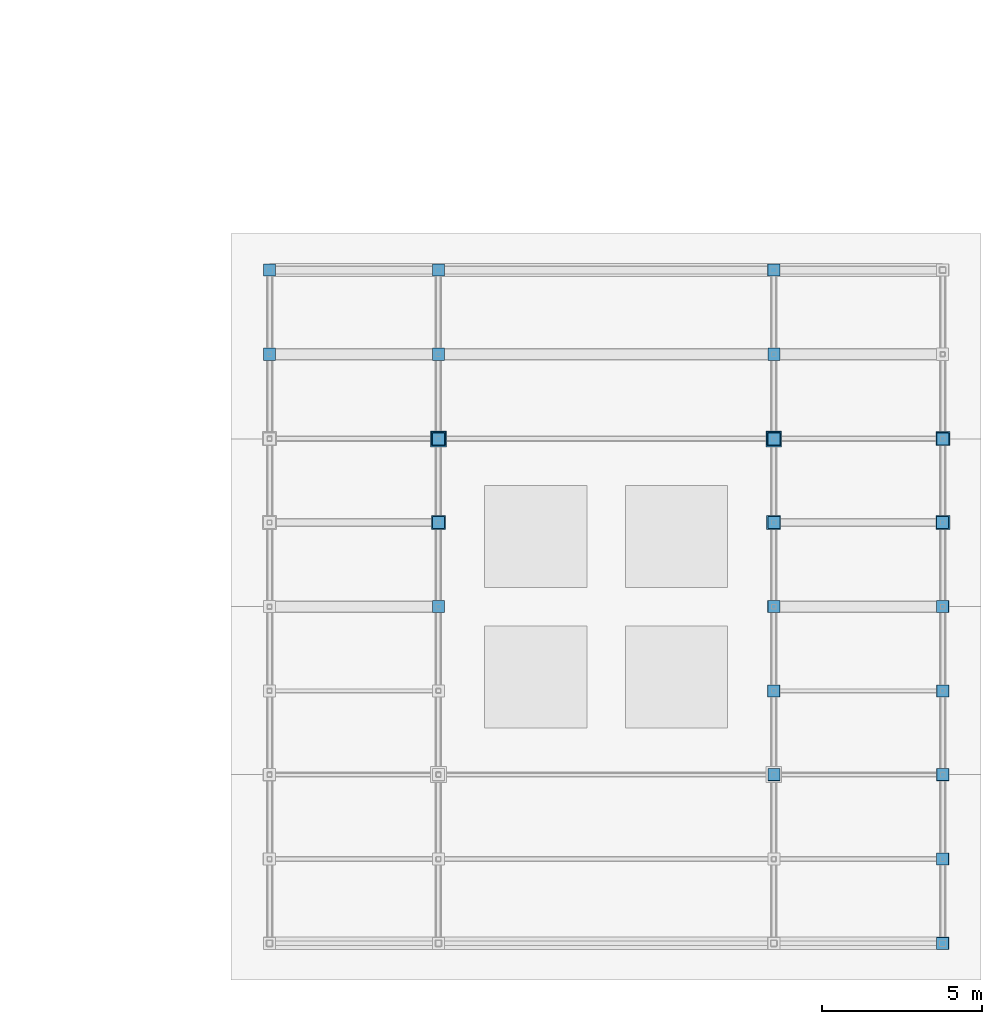
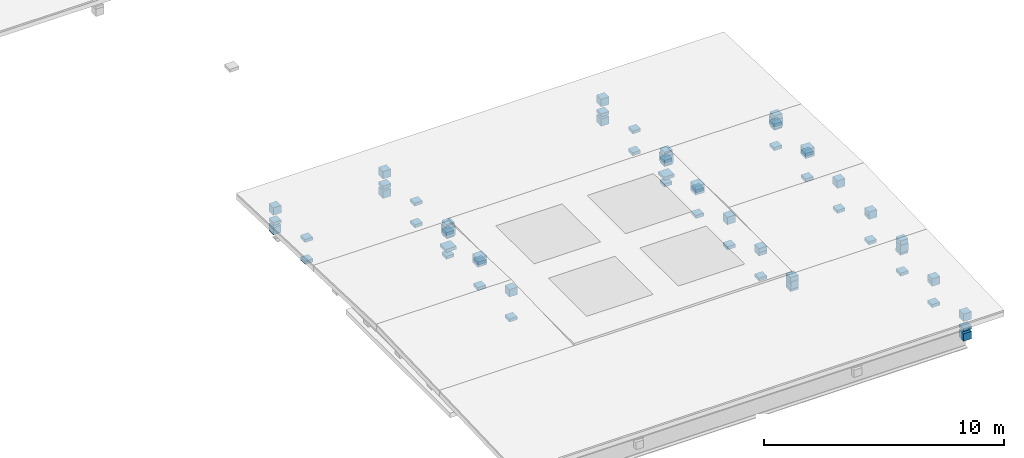
# One storey, part 22 of 25: 70 discrete accessories.
"""IFC4 building model written with IfcOpenShell, lengths in metres."""

from ifc_helpers import new_model, si_unit, direction, frame, origin, place, context, subcontext, project, spatial, polyline, outline, extrude, material, type_object, element, save


model = new_model("IFC4")

# Units and contexts
model_context = context("Model", 3, precision=1e-05, world=origin(), true_north=direction((0.0, 1.0)))
body_context = subcontext(model_context, "Body", "Model", "MODEL_VIEW")
ifc_project = project(units=[si_unit("LENGTHUNIT", "METRE"), si_unit("AREAUNIT", "SQUARE_METRE"), si_unit("VOLUMEUNIT", "CUBIC_METRE"), si_unit("PLANEANGLEUNIT", "RADIAN"), si_unit("MASSUNIT", "GRAM", prefix="KILO"), si_unit("THERMODYNAMICTEMPERATUREUNIT", "KELVIN"), si_unit("POWERUNIT", "WATT")], contexts=[model_context])

# Site, building, storey
site_placement = place(None, origin())
site = spatial("IfcSite", under=ifc_project, at=site_placement, CompositionType="ELEMENT")
building_placement = place(site_placement, origin())
building = spatial("IfcBuilding", under=site, at=building_placement, Name="Zelmaris Science Centre", CompositionType="ELEMENT")
storey_placement = place(building_placement, frame((0.0, 0.0, 30.0)))
storey = spatial("IfcBuildingStorey", under=building, at=storey_placement, Name="RF", CompositionType="ELEMENT", Elevation=30.0)

# Discrete accessories
ifc_material = material(Name="Steel ASTM A500 Grade C", Category="steel")
discrete_accessory_type = type_object("IfcDiscreteAccessoryType", Name="Hollow Section End Cap Plate BK-ECP", PredefinedType="BRACKET", material=ifc_material)
discrete_accessory_1_placement = place(storey_placement, frame((0.0, 0.0, 0.677001953125)))
element("IfcDiscreteAccessory", 1, at=discrete_accessory_1_placement, inside=storey, type_object=discrete_accessory_type, Name="End cap plate 24", PredefinedType="BRACKET", context=body_context, shape_type="SweptSolid", body=[
    extrude(outline(polyline([(86.002197265625, 41.002197265625), (86.497802734375, 41.002197265625), (86.497802734375, 41.497802734375), (86.002197265625, 41.497802734375), (86.002197265625, 41.002197265625)])), origin(), (0.0, 0.0, 1.0), 0.157958984375),
])
discrete_accessory_2_placement = place(storey_placement, frame((0.0, 0.0, 0.677001953125)))
element("IfcDiscreteAccessory", 2, at=discrete_accessory_2_placement, inside=storey, type_object=discrete_accessory_type, Name="End cap plate 32", PredefinedType="BRACKET", context=body_context, shape_type="SweptSolid", body=[
    extrude(outline(polyline([(75.502197265625, 41.002197265625), (75.997802734375, 41.002197265625), (75.997802734375, 41.497802734375), (75.502197265625, 41.497802734375), (75.502197265625, 41.002197265625)])), origin(), (0.0, 0.0, 1.0), 0.157958984375),
])
discrete_accessory_3_placement = place(storey_placement, frame((0.0, 0.0, 0.1591796875)))
element("IfcDiscreteAccessory", 3, at=discrete_accessory_3_placement, inside=storey, type_object=discrete_accessory_type, Name="End cap plate 432", PredefinedType="BRACKET", context=body_context, shape_type="SweptSolid", body=[
    extrude(outline(polyline([(70.275146484375, 46.352783203125), (70.653076171875, 46.352783203125), (70.653076171875, 46.73095703125), (70.275146484375, 46.73095703125), (70.275146484375, 46.352783203125)])), origin(), (0.0, 0.0, 1.0), 0.3779296875),
])
discrete_accessory_4_placement = place(storey_placement, frame((0.0, 0.0, 1.1572265625)))
element("IfcDiscreteAccessory", 4, at=discrete_accessory_4_placement, inside=storey, type_object=discrete_accessory_type, Name="End cap plate 435", PredefinedType="BRACKET", context=body_context, shape_type="SweptSolid", body=[
    extrude(outline(polyline([(70.273193359375, 46.35107421875), (70.65478515625, 46.35107421875), (70.65478515625, 46.732666015625), (70.273193359375, 46.732666015625), (70.273193359375, 46.35107421875)])), origin(), (0.0, 0.0, 1.0), 0.381591796875),
])
discrete_accessory_5_placement = place(storey_placement, frame((0.0, 0.0, 0.26318359375)))
element("IfcDiscreteAccessory", 5, at=discrete_accessory_5_placement, inside=storey, type_object=discrete_accessory_type, Name="End cap plate 447", PredefinedType="BRACKET", context=body_context, shape_type="SweptSolid", body=[
    extrude(outline(polyline([(70.275146484375, 43.712890625), (70.653076171875, 43.712890625), (70.653076171875, 44.0908203125), (70.275146484375, 44.0908203125), (70.275146484375, 43.712890625)])), origin(), (0.0, 0.0, 1.0), 0.157958984375),
])
discrete_accessory_6_placement = place(storey_placement, frame((0.0, 0.0, 1.3701171875)))
element("IfcDiscreteAccessory", 6, at=discrete_accessory_6_placement, inside=storey, type_object=discrete_accessory_type, Name="End cap plate 448", PredefinedType="BRACKET", context=body_context, shape_type="SweptSolid", body=[
    extrude(outline(polyline([(70.275146484375, 43.712890625), (70.653076171875, 43.712890625), (70.653076171875, 44.0908203125), (70.275146484375, 44.0908203125), (70.275146484375, 43.712890625)])), origin(), (0.0, 0.0, 1.0), 0.158203125),
])
discrete_accessory_7_placement = place(storey_placement, frame((0.0, 0.0, 0.64501953125)))
element("IfcDiscreteAccessory", 7, at=discrete_accessory_7_placement, inside=storey, type_object=discrete_accessory_type, Name="End cap plate 450", PredefinedType="BRACKET", context=body_context, shape_type="SweptSolid", body=[
    extrude(outline(polyline([(70.273193359375, 46.34521484375), (70.65478515625, 46.34521484375), (70.65478515625, 46.726806640625), (70.273193359375, 46.726806640625), (70.273193359375, 46.34521484375)])), origin(), (0.0, 0.0, 1.0), 0.157958984375),
])
discrete_accessory_8_placement = place(storey_placement, frame((0.0, 0.0, 0.1591796875)))
element("IfcDiscreteAccessory", 8, at=discrete_accessory_8_placement, inside=storey, type_object=discrete_accessory_type, Name="End cap plate 452", PredefinedType="BRACKET", context=body_context, shape_type="SweptSolid", body=[
    extrude(outline(polyline([(75.56103515625, 46.352783203125), (75.93896484375, 46.352783203125), (75.93896484375, 46.73095703125), (75.56103515625, 46.73095703125), (75.56103515625, 46.352783203125)])), origin(), (0.0, 0.0, 1.0), 0.3779296875),
])
discrete_accessory_9_placement = place(storey_placement, frame((0.0, 0.0, 1.53759765625)))
element("IfcDiscreteAccessory", 9, at=discrete_accessory_9_placement, inside=storey, type_object=discrete_accessory_type, Name="End cap plate 454", PredefinedType="BRACKET", context=body_context, shape_type="SweptSolid", body=[
    extrude(outline(polyline([(75.55908203125, 35.815185546875), (75.94091796875, 35.815185546875), (75.94091796875, 36.19677734375), (75.55908203125, 36.19677734375), (75.55908203125, 35.815185546875)])), origin(), (0.0, 0.0, 1.0), 0.381591796875),
])
discrete_accessory_10_placement = place(storey_placement, frame((0.0, 0.0, 1.1572265625)))
element("IfcDiscreteAccessory", 10, at=discrete_accessory_10_placement, inside=storey, type_object=discrete_accessory_type, Name="End cap plate 455", PredefinedType="BRACKET", context=body_context, shape_type="SweptSolid", body=[
    extrude(outline(polyline([(75.55908203125, 46.35107421875), (75.94091796875, 46.35107421875), (75.94091796875, 46.732666015625), (75.55908203125, 46.732666015625), (75.55908203125, 46.35107421875)])), origin(), (0.0, 0.0, 1.0), 0.381591796875),
])
discrete_accessory_11_placement = place(storey_placement, frame((0.0, 0.0, 0.26318359375)))
element("IfcDiscreteAccessory", 11, at=discrete_accessory_11_placement, inside=storey, type_object=discrete_accessory_type, Name="End cap plate 462", PredefinedType="BRACKET", context=body_context, shape_type="SweptSolid", body=[
    extrude(outline(polyline([(75.56103515625, 35.81103515625), (75.93896484375, 35.81103515625), (75.93896484375, 36.18896484375), (75.56103515625, 36.18896484375), (75.56103515625, 35.81103515625)])), origin(), (0.0, 0.0, 1.0), 0.157958984375),
])
for number, where, name in (
    (12, (0.0, 0.0, 0.26318359375), "End cap plate 463"),
    (13, (0.0, 0.0, 1.560302734375), "End cap plate 464"),
):
    element("IfcDiscreteAccessory", number, at=place(storey_placement, frame(where)), inside=storey, type_object=discrete_accessory_type, Name=name, PredefinedType="BRACKET", context=body_context, shape_type="SweptSolid", body=[
        extrude(outline(polyline([(75.56103515625, 38.445068359375), (75.93896484375, 38.445068359375), (75.93896484375, 38.822998046875), (75.56103515625, 38.822998046875), (75.56103515625, 38.445068359375)])), origin(), (0.0, 0.0, 1.0), 0.157958984375),
    ])
discrete_accessory_12_placement = place(storey_placement, frame((0.0, 0.0, 0.26318359375)))
element("IfcDiscreteAccessory", 14, at=discrete_accessory_12_placement, inside=storey, type_object=discrete_accessory_type, Name="End cap plate 465", PredefinedType="BRACKET", context=body_context, shape_type="SweptSolid", body=[
    extrude(outline(polyline([(75.56103515625, 41.078857421875), (75.93896484375, 41.078857421875), (75.93896484375, 41.456787109375), (75.56103515625, 41.456787109375), (75.56103515625, 41.078857421875)])), origin(), (0.0, 0.0, 1.0), 0.157958984375),
])
discrete_accessory_13_placement = place(storey_placement, frame((0.0, 0.0, 1.465087890625)))
element("IfcDiscreteAccessory", 15, at=discrete_accessory_13_placement, inside=storey, type_object=discrete_accessory_type, Name="End cap plate 466", PredefinedType="BRACKET", context=body_context, shape_type="SweptSolid", body=[
    extrude(outline(polyline([(75.56103515625, 41.078857421875), (75.93896484375, 41.078857421875), (75.93896484375, 41.456787109375), (75.56103515625, 41.456787109375), (75.56103515625, 41.078857421875)])), origin(), (0.0, 0.0, 1.0), 0.158203125),
])
discrete_accessory_14_placement = place(storey_placement, frame((0.0, 0.0, 0.26318359375)))
element("IfcDiscreteAccessory", 16, at=discrete_accessory_14_placement, inside=storey, type_object=discrete_accessory_type, Name="End cap plate 467", PredefinedType="BRACKET", context=body_context, shape_type="SweptSolid", body=[
    extrude(outline(polyline([(75.56103515625, 43.712890625), (75.93896484375, 43.712890625), (75.93896484375, 44.0908203125), (75.56103515625, 44.0908203125), (75.56103515625, 43.712890625)])), origin(), (0.0, 0.0, 1.0), 0.157958984375),
])
discrete_accessory_15_placement = place(storey_placement, frame((0.0, 0.0, 1.3701171875)))
element("IfcDiscreteAccessory", 17, at=discrete_accessory_15_placement, inside=storey, type_object=discrete_accessory_type, Name="End cap plate 468", PredefinedType="BRACKET", context=body_context, shape_type="SweptSolid", body=[
    extrude(outline(polyline([(75.56103515625, 43.712890625), (75.93896484375, 43.712890625), (75.93896484375, 44.0908203125), (75.56103515625, 44.0908203125), (75.56103515625, 43.712890625)])), origin(), (0.0, 0.0, 1.0), 0.158203125),
])
discrete_accessory_16_placement = place(storey_placement, frame((0.0, 0.0, 0.64501953125)))
element("IfcDiscreteAccessory", 18, at=discrete_accessory_16_placement, inside=storey, type_object=discrete_accessory_type, Name="End cap plate 470", PredefinedType="BRACKET", context=body_context, shape_type="SweptSolid", body=[
    extrude(outline(polyline([(75.55908203125, 46.34521484375), (75.94091796875, 46.34521484375), (75.94091796875, 46.726806640625), (75.55908203125, 46.726806640625), (75.55908203125, 46.34521484375)])), origin(), (0.0, 0.0, 1.0), 0.157958984375),
])
discrete_accessory_17_placement = place(storey_placement, frame((0.0, 0.0, 0.1591796875)))
element("IfcDiscreteAccessory", 19, at=discrete_accessory_17_placement, inside=storey, type_object=discrete_accessory_type, Name="End cap plate 472", PredefinedType="BRACKET", context=body_context, shape_type="SweptSolid", body=[
    extrude(outline(polyline([(86.06103515625, 46.352783203125), (86.43896484375, 46.352783203125), (86.43896484375, 46.73095703125), (86.06103515625, 46.73095703125), (86.06103515625, 46.352783203125)])), origin(), (0.0, 0.0, 1.0), 0.3779296875),
])
discrete_accessory_18_placement = place(storey_placement, frame((0.0, 0.0, 1.53759765625)))
element("IfcDiscreteAccessory", 20, at=discrete_accessory_18_placement, inside=storey, type_object=discrete_accessory_type, Name="End cap plate 474", PredefinedType="BRACKET", context=body_context, shape_type="SweptSolid", body=[
    extrude(outline(polyline([(86.05908203125, 35.815185546875), (86.44091796875, 35.815185546875), (86.44091796875, 36.19677734375), (86.05908203125, 36.19677734375), (86.05908203125, 35.815185546875)])), origin(), (0.0, 0.0, 1.0), 0.381591796875),
])
discrete_accessory_19_placement = place(storey_placement, frame((0.0, 0.0, 1.1572265625)))
element("IfcDiscreteAccessory", 21, at=discrete_accessory_19_placement, inside=storey, type_object=discrete_accessory_type, Name="End cap plate 475", PredefinedType="BRACKET", context=body_context, shape_type="SweptSolid", body=[
    extrude(outline(polyline([(86.05908203125, 46.35107421875), (86.44091796875, 46.35107421875), (86.44091796875, 46.732666015625), (86.05908203125, 46.732666015625), (86.05908203125, 46.35107421875)])), origin(), (0.0, 0.0, 1.0), 0.381591796875),
])
for number, where, name in (
    (22, (0.0, 0.0, 0.26318359375), "End cap plate 480"),
    (23, (0.0, 0.0, 1.560302734375), "End cap plate 481"),
):
    element("IfcDiscreteAccessory", number, at=place(storey_placement, frame(where)), inside=storey, type_object=discrete_accessory_type, Name=name, PredefinedType="BRACKET", context=body_context, shape_type="SweptSolid", body=[
        extrude(outline(polyline([(86.06103515625, 33.177001953125), (86.43896484375, 33.177001953125), (86.43896484375, 33.554931640625), (86.06103515625, 33.554931640625), (86.06103515625, 33.177001953125)])), origin(), (0.0, 0.0, 1.0), 0.157958984375),
    ])
discrete_accessory_20_placement = place(storey_placement, frame((0.0, 0.0, 0.26318359375)))
element("IfcDiscreteAccessory", 24, at=discrete_accessory_20_placement, inside=storey, type_object=discrete_accessory_type, Name="End cap plate 482", PredefinedType="BRACKET", context=body_context, shape_type="SweptSolid", body=[
    extrude(outline(polyline([(86.06103515625, 35.81103515625), (86.43896484375, 35.81103515625), (86.43896484375, 36.18896484375), (86.06103515625, 36.18896484375), (86.06103515625, 35.81103515625)])), origin(), (0.0, 0.0, 1.0), 0.157958984375),
])
for number, where, name in (
    (25, (0.0, 0.0, 0.26318359375), "End cap plate 483"),
    (26, (0.0, 0.0, 1.560302734375), "End cap plate 484"),
):
    element("IfcDiscreteAccessory", number, at=place(storey_placement, frame(where)), inside=storey, type_object=discrete_accessory_type, Name=name, PredefinedType="BRACKET", context=body_context, shape_type="SweptSolid", body=[
        extrude(outline(polyline([(86.06103515625, 38.445068359375), (86.43896484375, 38.445068359375), (86.43896484375, 38.822998046875), (86.06103515625, 38.822998046875), (86.06103515625, 38.445068359375)])), origin(), (0.0, 0.0, 1.0), 0.157958984375),
    ])
discrete_accessory_21_placement = place(storey_placement, frame((0.0, 0.0, 0.26318359375)))
element("IfcDiscreteAccessory", 27, at=discrete_accessory_21_placement, inside=storey, type_object=discrete_accessory_type, Name="End cap plate 485", PredefinedType="BRACKET", context=body_context, shape_type="SweptSolid", body=[
    extrude(outline(polyline([(86.06103515625, 41.078857421875), (86.43896484375, 41.078857421875), (86.43896484375, 41.456787109375), (86.06103515625, 41.456787109375), (86.06103515625, 41.078857421875)])), origin(), (0.0, 0.0, 1.0), 0.157958984375),
])
discrete_accessory_22_placement = place(storey_placement, frame((0.0, 0.0, 1.465087890625)))
element("IfcDiscreteAccessory", 28, at=discrete_accessory_22_placement, inside=storey, type_object=discrete_accessory_type, Name="End cap plate 486", PredefinedType="BRACKET", context=body_context, shape_type="SweptSolid", body=[
    extrude(outline(polyline([(86.06103515625, 41.078857421875), (86.43896484375, 41.078857421875), (86.43896484375, 41.456787109375), (86.06103515625, 41.456787109375), (86.06103515625, 41.078857421875)])), origin(), (0.0, 0.0, 1.0), 0.158203125),
])
discrete_accessory_23_placement = place(storey_placement, frame((0.0, 0.0, 0.26318359375)))
element("IfcDiscreteAccessory", 29, at=discrete_accessory_23_placement, inside=storey, type_object=discrete_accessory_type, Name="End cap plate 487", PredefinedType="BRACKET", context=body_context, shape_type="SweptSolid", body=[
    extrude(outline(polyline([(86.06103515625, 43.712890625), (86.43896484375, 43.712890625), (86.43896484375, 44.0908203125), (86.06103515625, 44.0908203125), (86.06103515625, 43.712890625)])), origin(), (0.0, 0.0, 1.0), 0.157958984375),
])
discrete_accessory_24_placement = place(storey_placement, frame((0.0, 0.0, 1.3701171875)))
element("IfcDiscreteAccessory", 30, at=discrete_accessory_24_placement, inside=storey, type_object=discrete_accessory_type, Name="End cap plate 488", PredefinedType="BRACKET", context=body_context, shape_type="SweptSolid", body=[
    extrude(outline(polyline([(86.06103515625, 43.712890625), (86.43896484375, 43.712890625), (86.43896484375, 44.0908203125), (86.06103515625, 44.0908203125), (86.06103515625, 43.712890625)])), origin(), (0.0, 0.0, 1.0), 0.158203125),
])
discrete_accessory_25_placement = place(storey_placement, frame((0.0, 0.0, 0.64501953125)))
element("IfcDiscreteAccessory", 31, at=discrete_accessory_25_placement, inside=storey, type_object=discrete_accessory_type, Name="End cap plate 490", PredefinedType="BRACKET", context=body_context, shape_type="SweptSolid", body=[
    extrude(outline(polyline([(86.05908203125, 46.34521484375), (86.44091796875, 46.34521484375), (86.44091796875, 46.726806640625), (86.05908203125, 46.726806640625), (86.05908203125, 46.34521484375)])), origin(), (0.0, 0.0, 1.0), 0.157958984375),
])
discrete_accessory_26_placement = place(storey_placement, frame((0.0, 0.0, 0.1591796875)))
element("IfcDiscreteAccessory", 32, at=discrete_accessory_26_placement, inside=storey, type_object=discrete_accessory_type, Name="End cap plate 491", PredefinedType="BRACKET", context=body_context, shape_type="SweptSolid", body=[
    extrude(outline(polyline([(91.346923828125, 25.26904296875), (91.724853515625, 25.26904296875), (91.724853515625, 25.647216796875), (91.346923828125, 25.647216796875), (91.346923828125, 25.26904296875)])), origin(), (0.0, 0.0, 1.0), 0.3779296875),
])
discrete_accessory_27_placement = place(storey_placement, frame((0.0, 0.0, 1.1572265625)))
element("IfcDiscreteAccessory", 33, at=discrete_accessory_27_placement, inside=storey, type_object=discrete_accessory_type, Name="End cap plate 493", PredefinedType="BRACKET", context=body_context, shape_type="SweptSolid", body=[
    extrude(outline(polyline([(91.34521484375, 25.267333984375), (91.726806640625, 25.267333984375), (91.726806640625, 25.64892578125), (91.34521484375, 25.64892578125), (91.34521484375, 25.267333984375)])), origin(), (0.0, 0.0, 1.0), 0.381591796875),
])
discrete_accessory_28_placement = place(storey_placement, frame((0.0, 0.0, 1.53759765625)))
element("IfcDiscreteAccessory", 34, at=discrete_accessory_28_placement, inside=storey, type_object=discrete_accessory_type, Name="End cap plate 494", PredefinedType="BRACKET", context=body_context, shape_type="SweptSolid", body=[
    extrude(outline(polyline([(91.34521484375, 35.815185546875), (91.726806640625, 35.815185546875), (91.726806640625, 36.19677734375), (91.34521484375, 36.19677734375), (91.34521484375, 35.815185546875)])), origin(), (0.0, 0.0, 1.0), 0.381591796875),
])
discrete_accessory_29_placement = place(storey_placement, frame((0.0, 0.0, 0.26318359375)))
element("IfcDiscreteAccessory", 35, at=discrete_accessory_29_placement, inside=storey, type_object=discrete_accessory_type, Name="End cap plate 496", PredefinedType="BRACKET", context=body_context, shape_type="SweptSolid", body=[
    extrude(outline(polyline([(91.346923828125, 27.9091796875), (91.724853515625, 27.9091796875), (91.724853515625, 28.287109375), (91.346923828125, 28.287109375), (91.346923828125, 27.9091796875)])), origin(), (0.0, 0.0, 1.0), 0.157958984375),
])
discrete_accessory_30_placement = place(storey_placement, frame((0.0, 0.0, 1.3701171875)))
element("IfcDiscreteAccessory", 36, at=discrete_accessory_30_placement, inside=storey, type_object=discrete_accessory_type, Name="End cap plate 497", PredefinedType="BRACKET", context=body_context, shape_type="SweptSolid", body=[
    extrude(outline(polyline([(91.346923828125, 27.9091796875), (91.724853515625, 27.9091796875), (91.724853515625, 28.287109375), (91.346923828125, 28.287109375), (91.346923828125, 27.9091796875)])), origin(), (0.0, 0.0, 1.0), 0.158203125),
])
discrete_accessory_31_placement = place(storey_placement, frame((0.0, 0.0, 0.26318359375)))
element("IfcDiscreteAccessory", 37, at=discrete_accessory_31_placement, inside=storey, type_object=discrete_accessory_type, Name="End cap plate 498", PredefinedType="BRACKET", context=body_context, shape_type="SweptSolid", body=[
    extrude(outline(polyline([(91.346923828125, 30.54296875), (91.724853515625, 30.54296875), (91.724853515625, 30.9208984375), (91.346923828125, 30.9208984375), (91.346923828125, 30.54296875)])), origin(), (0.0, 0.0, 1.0), 0.157958984375),
])
discrete_accessory_32_placement = place(storey_placement, frame((0.0, 0.0, 1.465087890625)))
element("IfcDiscreteAccessory", 38, at=discrete_accessory_32_placement, inside=storey, type_object=discrete_accessory_type, Name="End cap plate 499", PredefinedType="BRACKET", context=body_context, shape_type="SweptSolid", body=[
    extrude(outline(polyline([(91.346923828125, 30.54296875), (91.724853515625, 30.54296875), (91.724853515625, 30.9208984375), (91.346923828125, 30.9208984375), (91.346923828125, 30.54296875)])), origin(), (0.0, 0.0, 1.0), 0.158203125),
])
for number, where, name in (
    (39, (0.0, 0.0, 0.26318359375), "End cap plate 500"),
    (40, (0.0, 0.0, 1.560302734375), "End cap plate 501"),
):
    element("IfcDiscreteAccessory", number, at=place(storey_placement, frame(where)), inside=storey, type_object=discrete_accessory_type, Name=name, PredefinedType="BRACKET", context=body_context, shape_type="SweptSolid", body=[
        extrude(outline(polyline([(91.346923828125, 33.177001953125), (91.724853515625, 33.177001953125), (91.724853515625, 33.554931640625), (91.346923828125, 33.554931640625), (91.346923828125, 33.177001953125)])), origin(), (0.0, 0.0, 1.0), 0.157958984375),
    ])
discrete_accessory_33_placement = place(storey_placement, frame((0.0, 0.0, 0.26318359375)))
element("IfcDiscreteAccessory", 41, at=discrete_accessory_33_placement, inside=storey, type_object=discrete_accessory_type, Name="End cap plate 502", PredefinedType="BRACKET", context=body_context, shape_type="SweptSolid", body=[
    extrude(outline(polyline([(91.346923828125, 35.81103515625), (91.724853515625, 35.81103515625), (91.724853515625, 36.18896484375), (91.346923828125, 36.18896484375), (91.346923828125, 35.81103515625)])), origin(), (0.0, 0.0, 1.0), 0.157958984375),
])
for number, where, name in (
    (42, (0.0, 0.0, 0.26318359375), "End cap plate 503"),
    (43, (0.0, 0.0, 1.560302734375), "End cap plate 504"),
):
    element("IfcDiscreteAccessory", number, at=place(storey_placement, frame(where)), inside=storey, type_object=discrete_accessory_type, Name=name, PredefinedType="BRACKET", context=body_context, shape_type="SweptSolid", body=[
        extrude(outline(polyline([(91.346923828125, 38.445068359375), (91.724853515625, 38.445068359375), (91.724853515625, 38.822998046875), (91.346923828125, 38.822998046875), (91.346923828125, 38.445068359375)])), origin(), (0.0, 0.0, 1.0), 0.157958984375),
    ])
discrete_accessory_34_placement = place(storey_placement, frame((0.0, 0.0, 0.26318359375)))
element("IfcDiscreteAccessory", 44, at=discrete_accessory_34_placement, inside=storey, type_object=discrete_accessory_type, Name="End cap plate 505", PredefinedType="BRACKET", context=body_context, shape_type="SweptSolid", body=[
    extrude(outline(polyline([(91.346923828125, 41.078857421875), (91.724853515625, 41.078857421875), (91.724853515625, 41.456787109375), (91.346923828125, 41.456787109375), (91.346923828125, 41.078857421875)])), origin(), (0.0, 0.0, 1.0), 0.157958984375),
])
discrete_accessory_35_placement = place(storey_placement, frame((0.0, 0.0, 1.465087890625)))
element("IfcDiscreteAccessory", 45, at=discrete_accessory_35_placement, inside=storey, type_object=discrete_accessory_type, Name="End cap plate 506", PredefinedType="BRACKET", context=body_context, shape_type="SweptSolid", body=[
    extrude(outline(polyline([(91.346923828125, 41.078857421875), (91.724853515625, 41.078857421875), (91.724853515625, 41.456787109375), (91.346923828125, 41.456787109375), (91.346923828125, 41.078857421875)])), origin(), (0.0, 0.0, 1.0), 0.158203125),
])
discrete_accessory_36_placement = place(storey_placement, frame((0.0, 0.0, 0.64501953125)))
element("IfcDiscreteAccessory", 46, at=discrete_accessory_36_placement, inside=storey, type_object=discrete_accessory_type, Name="End cap plate 509", PredefinedType="BRACKET", context=body_context, shape_type="SweptSolid", body=[
    extrude(outline(polyline([(91.34521484375, 25.273193359375), (91.726806640625, 25.273193359375), (91.726806640625, 25.65478515625), (91.34521484375, 25.65478515625), (91.34521484375, 25.273193359375)])), origin(), (0.0, 0.0, 1.0), 0.157958984375),
])
discrete_accessory_37_placement = place(storey_placement, frame((0.0, 0.0, 1.483642578125)))
element("IfcDiscreteAccessory", 47, at=discrete_accessory_37_placement, inside=storey, type_object=discrete_accessory_type, Name="End cap plate 518", PredefinedType="BRACKET", context=body_context, shape_type="SweptSolid", body=[
    extrude(outline(polyline([(75.536865234375, 38.414794921875), (75.97509765625, 38.414794921875), (75.97509765625, 38.853271484375), (75.536865234375, 38.853271484375), (75.536865234375, 38.414794921875)])), origin(), (0.0, 0.0, 1.0), 0.4384765625),
])
discrete_accessory_38_placement = place(storey_placement, frame((0.0, 0.0, 1.388671875)))
element("IfcDiscreteAccessory", 48, at=discrete_accessory_38_placement, inside=storey, type_object=discrete_accessory_type, Name="End cap plate 520", PredefinedType="BRACKET", context=body_context, shape_type="SweptSolid", body=[
    extrude(outline(polyline([(75.536865234375, 41.048583984375), (75.97509765625, 41.048583984375), (75.97509765625, 41.487060546875), (75.536865234375, 41.487060546875), (75.536865234375, 41.048583984375)])), origin(), (0.0, 0.0, 1.0), 0.438232421875),
])
discrete_accessory_39_placement = place(storey_placement, frame((0.0, 0.0, 1.4423828125)))
element("IfcDiscreteAccessory", 49, at=discrete_accessory_39_placement, inside=storey, type_object=discrete_accessory_type, Name="End cap plate 522", PredefinedType="BRACKET", context=body_context, shape_type="SweptSolid", body=[
    extrude(outline(polyline([(86.065185546875, 30.541259765625), (86.44677734375, 30.541259765625), (86.44677734375, 30.9228515625), (86.065185546875, 30.9228515625), (86.065185546875, 30.541259765625)])), origin(), (0.0, 0.0, 1.0), 0.381591796875),
])
discrete_accessory_40_placement = place(storey_placement, frame((0.0, 0.0, 1.388671875)))
element("IfcDiscreteAccessory", 50, at=discrete_accessory_40_placement, inside=storey, type_object=discrete_accessory_type, Name="End cap plate 523", PredefinedType="BRACKET", context=body_context, shape_type="SweptSolid", body=[
    extrude(outline(polyline([(86.036865234375, 41.048583984375), (86.47509765625, 41.048583984375), (86.47509765625, 41.487060546875), (86.036865234375, 41.487060546875), (86.036865234375, 41.048583984375)])), origin(), (0.0, 0.0, 1.0), 0.438232421875),
])
discrete_accessory_41_placement = place(storey_placement, frame((0.0, 0.0, 1.347412109375)))
element("IfcDiscreteAccessory", 51, at=discrete_accessory_41_placement, inside=storey, type_object=discrete_accessory_type, Name="End cap plate 524", PredefinedType="BRACKET", context=body_context, shape_type="SweptSolid", body=[
    extrude(outline(polyline([(91.35107421875, 27.9072265625), (91.732666015625, 27.9072265625), (91.732666015625, 28.288818359375), (91.35107421875, 28.288818359375), (91.35107421875, 27.9072265625)])), origin(), (0.0, 0.0, 1.0), 0.381591796875),
])
discrete_accessory_42_placement = place(storey_placement, frame((0.0, 0.0, 1.4423828125)))
element("IfcDiscreteAccessory", 52, at=discrete_accessory_42_placement, inside=storey, type_object=discrete_accessory_type, Name="End cap plate 525", PredefinedType="BRACKET", context=body_context, shape_type="SweptSolid", body=[
    extrude(outline(polyline([(91.35107421875, 30.541259765625), (91.732666015625, 30.541259765625), (91.732666015625, 30.9228515625), (91.35107421875, 30.9228515625), (91.35107421875, 30.541259765625)])), origin(), (0.0, 0.0, 1.0), 0.381591796875),
])
discrete_accessory_43_placement = place(storey_placement, frame((0.0, 0.0, 1.552001953125)))
element("IfcDiscreteAccessory", 53, at=discrete_accessory_43_placement, inside=storey, type_object=discrete_accessory_type, Name="End cap plate 526", PredefinedType="BRACKET", context=body_context, shape_type="SweptSolid", body=[
    extrude(outline(polyline([(86.054931640625, 33.177001953125), (86.43310546875, 33.177001953125), (86.43310546875, 33.554931640625), (86.054931640625, 33.554931640625), (86.054931640625, 33.177001953125)])), origin(), (0.0, 0.0, 1.0), 0.3779296875),
])
discrete_accessory_44_placement = place(storey_placement, frame((0.0, 0.0, 1.552001953125)))
element("IfcDiscreteAccessory", 54, at=discrete_accessory_44_placement, inside=storey, type_object=discrete_accessory_type, Name="End cap plate 527", PredefinedType="BRACKET", context=body_context, shape_type="SweptSolid", body=[
    extrude(outline(polyline([(91.352783203125, 33.177001953125), (91.73095703125, 33.177001953125), (91.73095703125, 33.554931640625), (91.352783203125, 33.554931640625), (91.352783203125, 33.177001953125)])), origin(), (0.0, 0.0, 1.0), 0.3779296875),
])
discrete_accessory_45_placement = place(storey_placement, frame((0.0, 0.0, 1.483642578125)))
element("IfcDiscreteAccessory", 55, at=discrete_accessory_45_placement, inside=storey, type_object=discrete_accessory_type, Name="End cap plate 528", PredefinedType="BRACKET", context=body_context, shape_type="SweptSolid", body=[
    extrude(outline(polyline([(86.02490234375, 38.414794921875), (86.463134765625, 38.414794921875), (86.463134765625, 38.853271484375), (86.02490234375, 38.853271484375), (86.02490234375, 38.414794921875)])), origin(), (0.0, 0.0, 1.0), 0.4384765625),
])
discrete_accessory_46_placement = place(storey_placement, frame((0.0, 0.0, 1.483642578125)))
element("IfcDiscreteAccessory", 56, at=discrete_accessory_46_placement, inside=storey, type_object=discrete_accessory_type, Name="End cap plate 529", PredefinedType="BRACKET", context=body_context, shape_type="SweptSolid", body=[
    extrude(outline(polyline([(91.32275390625, 38.414794921875), (91.760986328125, 38.414794921875), (91.760986328125, 38.853271484375), (91.32275390625, 38.853271484375), (91.32275390625, 38.414794921875)])), origin(), (0.0, 0.0, 1.0), 0.4384765625),
])
discrete_accessory_47_placement = place(storey_placement, frame((0.0, 0.0, 1.388671875)))
element("IfcDiscreteAccessory", 57, at=discrete_accessory_47_placement, inside=storey, type_object=discrete_accessory_type, Name="End cap plate 530", PredefinedType="BRACKET", context=body_context, shape_type="SweptSolid", body=[
    extrude(outline(polyline([(91.32275390625, 41.048583984375), (91.760986328125, 41.048583984375), (91.760986328125, 41.487060546875), (91.32275390625, 41.487060546875), (91.32275390625, 41.048583984375)])), origin(), (0.0, 0.0, 1.0), 0.438232421875),
])
discrete_accessory_48_placement = place(storey_placement, frame((0.0, 0.0, 1.6708984375)))
element("IfcDiscreteAccessory", 58, at=discrete_accessory_48_placement, inside=storey, type_object=discrete_accessory_type, Name="End cap plate 532", PredefinedType="BRACKET", context=body_context, shape_type="SweptSolid", body=[
    extrude(outline(polyline([(91.352783203125, 30.56103515625), (91.73095703125, 30.56103515625), (91.73095703125, 30.93896484375), (91.352783203125, 30.93896484375), (91.352783203125, 30.56103515625)])), origin(), (0.0, 0.0, 1.0), 0.378173828125),
])
discrete_accessory_49_placement = place(storey_placement, frame((0.0, 0.0, 1.3154296875)))
element("IfcDiscreteAccessory", 59, at=discrete_accessory_49_placement, inside=storey, type_object=discrete_accessory_type, Name="End cap plate 536", PredefinedType="BRACKET", context=body_context, shape_type="SweptSolid", body=[
    extrude(outline(polyline([(86.06103515625, 30.56103515625), (86.43896484375, 30.56103515625), (86.43896484375, 30.93896484375), (86.06103515625, 30.93896484375), (86.06103515625, 30.56103515625)])), origin(), (0.0, 0.0, 1.0), 0.157958984375),
])
discrete_accessory_50_placement = place(storey_placement, frame((0.0, 0.0, 1.826904296875)))
element("IfcDiscreteAccessory", 60, at=discrete_accessory_50_placement, inside=storey, type_object=discrete_accessory_type, Name="End cap plate 537", PredefinedType="BRACKET", context=body_context, shape_type="SweptSolid", body=[
    extrude(outline(polyline([(86.06103515625, 30.56103515625), (86.43896484375, 30.56103515625), (86.43896484375, 30.93896484375), (86.06103515625, 30.93896484375), (86.06103515625, 30.56103515625)])), origin(), (0.0, 0.0, 1.0), 0.158203125),
])
discrete_accessory_51_placement = place(storey_placement, frame((0.0, 0.0, 1.3154296875)))
element("IfcDiscreteAccessory", 61, at=discrete_accessory_51_placement, inside=storey, type_object=discrete_accessory_type, Name="End cap plate 538", PredefinedType="BRACKET", context=body_context, shape_type="SweptSolid", body=[
    extrude(outline(polyline([(91.346923828125, 30.56103515625), (91.724853515625, 30.56103515625), (91.724853515625, 30.93896484375), (91.346923828125, 30.93896484375), (91.346923828125, 30.56103515625)])), origin(), (0.0, 0.0, 1.0), 0.157958984375),
])
discrete_accessory_52_placement = place(storey_placement, frame((0.0, 0.0, 1.6708984375)))
element("IfcDiscreteAccessory", 62, at=discrete_accessory_52_placement, inside=storey, type_object=discrete_accessory_type, Name="End cap plate 540", PredefinedType="BRACKET", context=body_context, shape_type="SweptSolid", body=[
    extrude(outline(polyline([(91.352783203125, 41.06103515625), (91.73095703125, 41.06103515625), (91.73095703125, 41.43896484375), (91.352783203125, 41.43896484375), (91.352783203125, 41.06103515625)])), origin(), (0.0, 0.0, 1.0), 0.378173828125),
])
discrete_accessory_53_placement = place(storey_placement, frame((0.0, 0.0, 1.3154296875)))
element("IfcDiscreteAccessory", 63, at=discrete_accessory_53_placement, inside=storey, type_object=discrete_accessory_type, Name="End cap plate 542", PredefinedType="BRACKET", context=body_context, shape_type="SweptSolid", body=[
    extrude(outline(polyline([(75.56103515625, 41.06103515625), (75.93896484375, 41.06103515625), (75.93896484375, 41.43896484375), (75.56103515625, 41.43896484375), (75.56103515625, 41.06103515625)])), origin(), (0.0, 0.0, 1.0), 0.157958984375),
])
discrete_accessory_54_placement = place(storey_placement, frame((0.0, 0.0, 1.826904296875)))
element("IfcDiscreteAccessory", 64, at=discrete_accessory_54_placement, inside=storey, type_object=discrete_accessory_type, Name="End cap plate 543", PredefinedType="BRACKET", context=body_context, shape_type="SweptSolid", body=[
    extrude(outline(polyline([(75.56103515625, 41.06103515625), (75.93896484375, 41.06103515625), (75.93896484375, 41.43896484375), (75.56103515625, 41.43896484375), (75.56103515625, 41.06103515625)])), origin(), (0.0, 0.0, 1.0), 0.158203125),
])
discrete_accessory_55_placement = place(storey_placement, frame((0.0, 0.0, 1.3154296875)))
element("IfcDiscreteAccessory", 65, at=discrete_accessory_55_placement, inside=storey, type_object=discrete_accessory_type, Name="End cap plate 544", PredefinedType="BRACKET", context=body_context, shape_type="SweptSolid", body=[
    extrude(outline(polyline([(86.06103515625, 41.06103515625), (86.43896484375, 41.06103515625), (86.43896484375, 41.43896484375), (86.06103515625, 41.43896484375), (86.06103515625, 41.06103515625)])), origin(), (0.0, 0.0, 1.0), 0.157958984375),
])
discrete_accessory_56_placement = place(storey_placement, frame((0.0, 0.0, 1.826904296875)))
element("IfcDiscreteAccessory", 66, at=discrete_accessory_56_placement, inside=storey, type_object=discrete_accessory_type, Name="End cap plate 545", PredefinedType="BRACKET", context=body_context, shape_type="SweptSolid", body=[
    extrude(outline(polyline([(86.06103515625, 41.06103515625), (86.43896484375, 41.06103515625), (86.43896484375, 41.43896484375), (86.06103515625, 41.43896484375), (86.06103515625, 41.06103515625)])), origin(), (0.0, 0.0, 1.0), 0.158203125),
])
discrete_accessory_57_placement = place(storey_placement, frame((0.0, 0.0, 1.3154296875)))
element("IfcDiscreteAccessory", 67, at=discrete_accessory_57_placement, inside=storey, type_object=discrete_accessory_type, Name="End cap plate 546", PredefinedType="BRACKET", context=body_context, shape_type="SweptSolid", body=[
    extrude(outline(polyline([(91.346923828125, 41.06103515625), (91.724853515625, 41.06103515625), (91.724853515625, 41.43896484375), (91.346923828125, 41.43896484375), (91.346923828125, 41.06103515625)])), origin(), (0.0, 0.0, 1.0), 0.157958984375),
])
discrete_accessory_58_placement = place(storey_placement, frame((0.0, 0.0, 1.6708984375)))
element("IfcDiscreteAccessory", 68, at=discrete_accessory_58_placement, inside=storey, type_object=discrete_accessory_type, Name="End cap plate 548", PredefinedType="BRACKET", context=body_context, shape_type="SweptSolid", body=[
    extrude(outline(polyline([(75.56103515625, 41.06689453125), (75.93896484375, 41.06689453125), (75.93896484375, 41.445068359375), (75.56103515625, 41.445068359375), (75.56103515625, 41.06689453125)])), origin(), (0.0, 0.0, 1.0), 0.378173828125),
])
discrete_accessory_59_placement = place(storey_placement, frame((0.0, 0.0, 1.6708984375)))
element("IfcDiscreteAccessory", 69, at=discrete_accessory_59_placement, inside=storey, type_object=discrete_accessory_type, Name="End cap plate 549", PredefinedType="BRACKET", context=body_context, shape_type="SweptSolid", body=[
    extrude(outline(polyline([(86.06103515625, 30.554931640625), (86.43896484375, 30.554931640625), (86.43896484375, 30.93310546875), (86.06103515625, 30.93310546875), (86.06103515625, 30.554931640625)])), origin(), (0.0, 0.0, 1.0), 0.378173828125),
])
discrete_accessory_60_placement = place(storey_placement, frame((0.0, 0.0, 1.6708984375)))
element("IfcDiscreteAccessory", 70, at=discrete_accessory_60_placement, inside=storey, type_object=discrete_accessory_type, Name="End cap plate 550", PredefinedType="BRACKET", context=body_context, shape_type="SweptSolid", body=[
    extrude(outline(polyline([(86.06103515625, 41.06689453125), (86.43896484375, 41.06689453125), (86.43896484375, 41.445068359375), (86.06103515625, 41.445068359375), (86.06103515625, 41.06689453125)])), origin(), (0.0, 0.0, 1.0), 0.378173828125),
])

save(model, "model.ifc")
